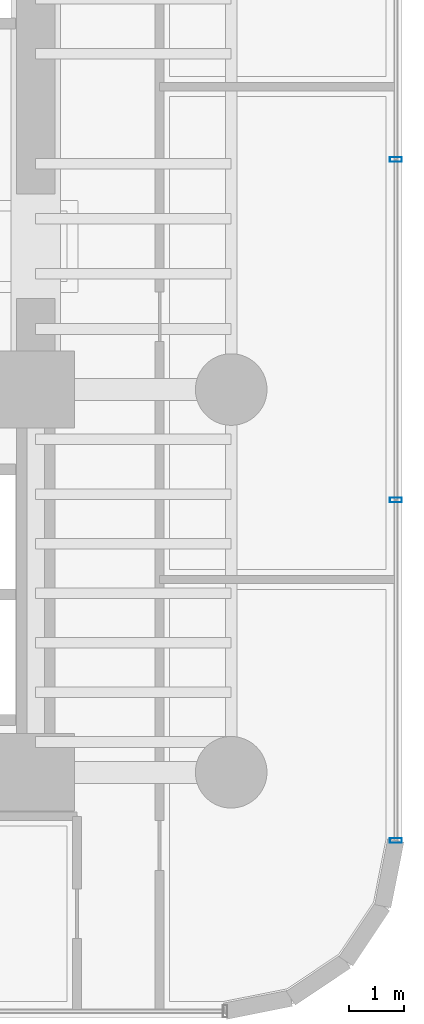
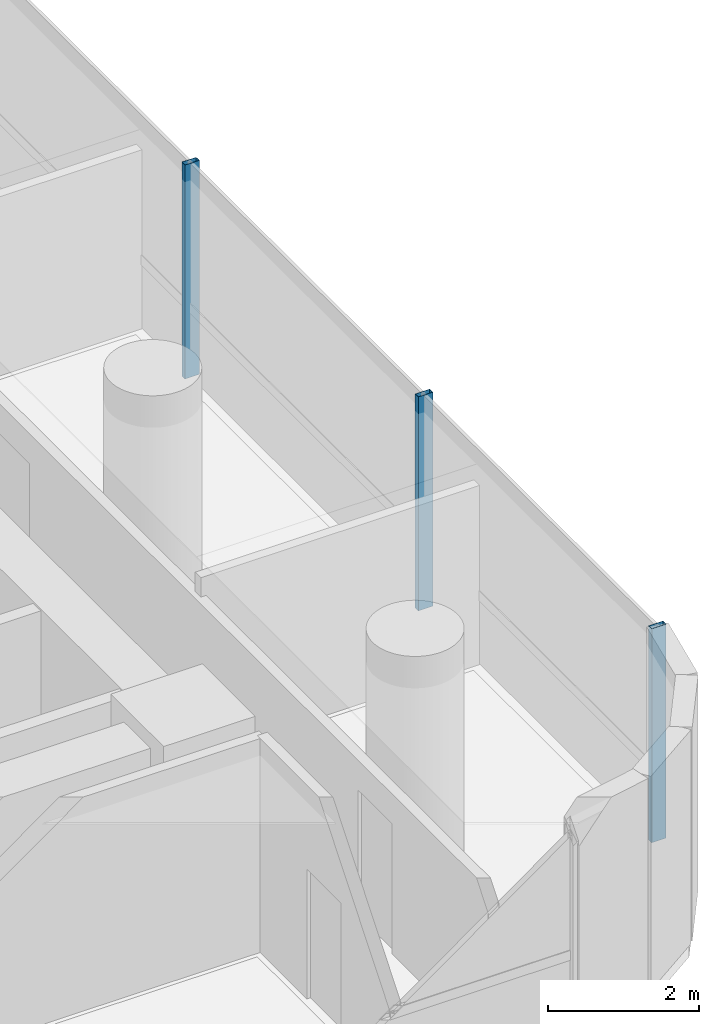
# One storey, part 24 of 38: 3 members, 1 element without a shape of its own.
"""IFC4 building model written with IfcOpenShell, lengths in metres."""

from ifc_helpers import new_model, si_unit, direction, frame, origin, origin_2d, place, context, subcontext, project, spatial, hollow_rectangle, extrude, source, transform, mapped, material, material_profile, profile_set, type_object, element, aggregate, save


model = new_model("IFC4")

# Units and contexts
model_context = context("Model", 3, precision=1e-05, world=origin(), true_north=direction((0.0, 1.0)))
body_context = subcontext(model_context, "Body", "Model", "MODEL_VIEW")
ifc_project = project(units=[si_unit("LENGTHUNIT", "METRE"), si_unit("AREAUNIT", "SQUARE_METRE"), si_unit("VOLUMEUNIT", "CUBIC_METRE"), si_unit("PLANEANGLEUNIT", "RADIAN"), si_unit("MASSUNIT", "GRAM", prefix="KILO")], contexts=[model_context])

# Site, building, storey
site_placement = place(None, origin())
site = spatial("IfcSite", under=ifc_project, at=site_placement, CompositionType="ELEMENT")
building_placement = place(site_placement, origin())
building = spatial("IfcBuilding", under=site, at=building_placement, Name="Valdorenza Pilgrim Sanctuary Tower", CompositionType="ELEMENT")
storey_placement = place(building_placement, frame((0.0, 0.0, 37.10009765625)))
storey = spatial("IfcBuildingStorey", under=building, at=storey_placement, Name="L08", CompositionType="ELEMENT", Elevation=37.10009765625)

# Curtain wall, members
ifc_material_1 = material(Name="Curtain-wall IGU glazing", Category="glass")
curtain_wall_type = type_object("IfcCurtainWallType", Name="CW-SYS-03", PredefinedType="NOTDEFINED", material=ifc_material_1)
curtain_wall_placement = place(storey_placement, origin())
curtain_wall = element("IfcCurtainWall", 1, at=curtain_wall_placement, inside=storey, type_object=curtain_wall_type, Name="L08 Curtain Wall CW-L08-1-21", PredefinedType="NOTDEFINED")
ifc_material_2 = material(Name="Anodised aluminium AW-6060", Category="aluminium")
ifc_material_profile = material_profile(ifc_material_2, hollow_rectangle(XDim=0.0849609375, YDim=0.219970703125, WallThickness=0.0048828125, at=origin_2d()), Name="ALU-M 220x85x5")
ifc_profile_set = profile_set([ifc_material_profile], Name="Anodised aluminium AW-6060")
member_type = type_object("IfcMemberType", Name="CW-MUL-03", PredefinedType="MULLION", material=ifc_profile_set)
shared_shape = source(origin(), body_context, "Body", "SweptSolid", [
    extrude(hollow_rectangle(XDim=0.0849609375, YDim=0.219970703125, WallThickness=0.0048828125, at=origin_2d()), origin(), (0.0, 0.0, 1.0), 3.4599609375),
])
member_1_placement = place(storey_placement, frame((31.389892578125, 1.577880859375, 0.0), z_axis=(0.0, 0.0, 1.0), x_axis=(0.0, -1.0, 0.0)))
member_1 = element("IfcMember", 2, at=member_1_placement, type_object=member_type, Name="CW-L08-1-21 Mullion 3", PredefinedType="MULLION", context=body_context, shape_type="MappedRepresentation", body=[
    mapped(shared_shape, transform((0.0, 0.0, 0.0), x_axis=(1.0, 0.0, 0.0), y_axis=(0.0, 1.0, 0.0), z_axis=(0.0, 0.0, 1.0), scale=1.0)),
])
member_2_placement = place(storey_placement, frame((31.389892578125, -4.605712890625, 0.0), z_axis=(0.0, 0.0, 1.0), x_axis=(0.0, -1.0, 0.0)))
member_2 = element("IfcMember", 3, at=member_2_placement, type_object=member_type, Name="CW-L08-1-21 Mullion 4", PredefinedType="MULLION", context=body_context, shape_type="MappedRepresentation", body=[
    mapped(shared_shape, transform((0.0, 0.0, 0.0), x_axis=(1.0, 0.0, 0.0), y_axis=(0.0, 1.0, 0.0), z_axis=(0.0, 0.0, 1.0), scale=1.0)),
])
member_3_placement = place(storey_placement, frame((31.389892578125, -10.789306640625, 0.0), z_axis=(0.0, 0.0, 1.0), x_axis=(0.0, -1.0, 0.0)))
member_3 = element("IfcMember", 4, at=member_3_placement, type_object=member_type, Name="CW-L08-1-21 Mullion 5", PredefinedType="MULLION", context=body_context, shape_type="MappedRepresentation", body=[
    mapped(shared_shape, transform((0.0, 0.0, 0.0), x_axis=(1.0, 0.0, 0.0), y_axis=(0.0, 1.0, 0.0), z_axis=(0.0, 0.0, 1.0), scale=1.0)),
])
aggregate(curtain_wall, [member_1, member_2, member_3])

save(model, "model.ifc")
